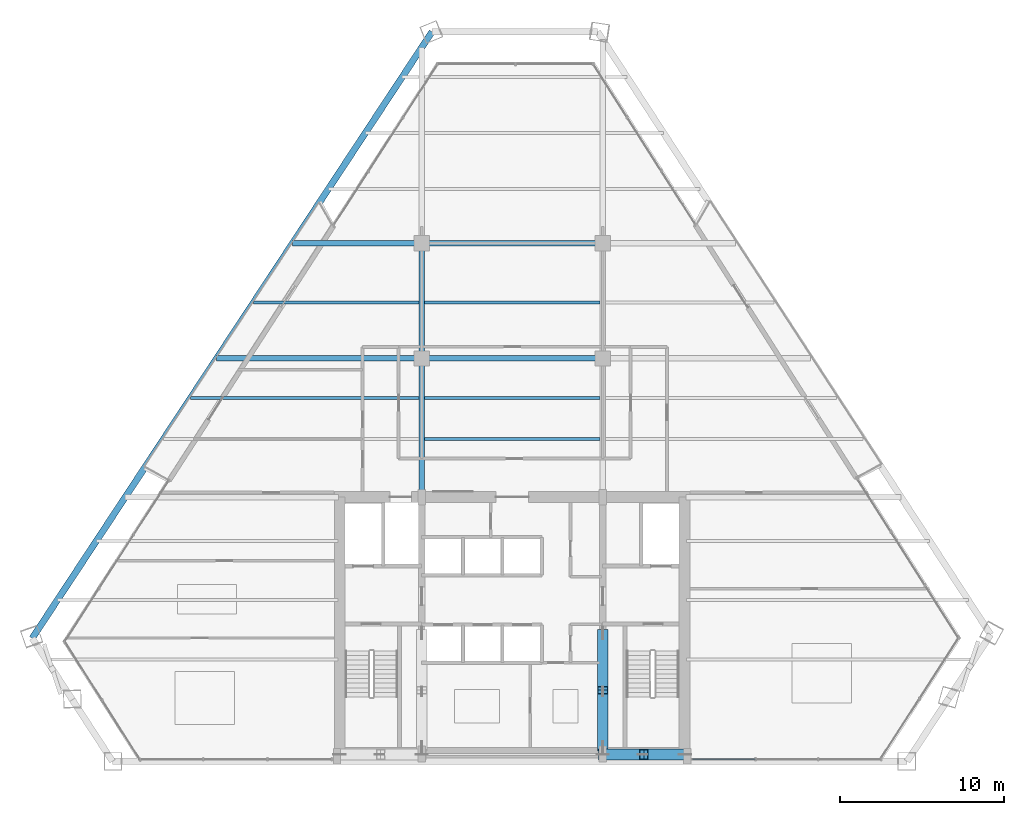
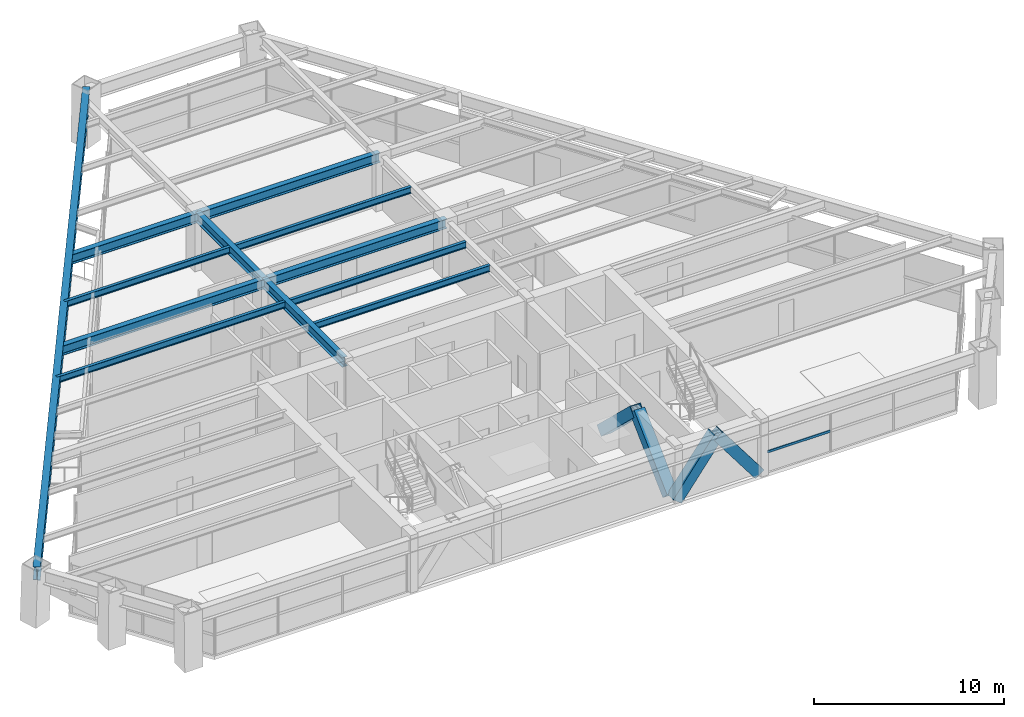
# One storey, part 5 of 15: 12 beams, 5 members, 1 element without a shape of its own.
"""IFC4 building model written with IfcOpenShell, lengths in metres."""

from ifc_helpers import new_model, si_unit, direction, frame, origin, origin_2d, place, context, subcontext, project, spatial, rectangle, hollow_rectangle, i_section, extrude, source, transform, mapped, material, material_profile, profile_set, type_object, type_shapes, element, aggregate, save


model = new_model("IFC4")

# Units and contexts
model_context = context("Model", 3, precision=1e-05, world=origin(), true_north=direction((0.0, 1.0)))
body_context = subcontext(model_context, "Body", "Model", "MODEL_VIEW")
ifc_project = project(units=[si_unit("LENGTHUNIT", "METRE"), si_unit("AREAUNIT", "SQUARE_METRE"), si_unit("VOLUMEUNIT", "CUBIC_METRE"), si_unit("PLANEANGLEUNIT", "RADIAN"), si_unit("MASSUNIT", "GRAM", prefix="KILO")], contexts=[model_context])

# Site, building, storey
site_placement = place(None, origin())
site = spatial("IfcSite", under=ifc_project, at=site_placement, CompositionType="ELEMENT")
building_placement = place(site_placement, origin())
building = spatial("IfcBuilding", under=site, at=building_placement, Name="Varnakhor Terracotta Tower", CompositionType="ELEMENT")
storey_placement = place(building_placement, frame((0.0, 0.0, 147.800048828125)))
storey = spatial("IfcBuildingStorey", under=building, at=storey_placement, Name="L37", CompositionType="ELEMENT", Elevation=147.800048828125)

# Beams
ifc_material_1 = material(Name="Steel S355", Category="steel")
ifc_material_profile_1 = material_profile(ifc_material_1, i_section(OverallWidth=0.324951171875, OverallDepth=0.615966796875, WebThickness=0.013916015625, FlangeThickness=0.02197265625, FilletRadius=0.01806640625, at=origin_2d()), Name="W24X117")
ifc_profile_set_1 = profile_set([ifc_material_profile_1], Name="Steel S355")
beam_type_1 = type_object("IfcBeamType", Name="BM-W24X117", PredefinedType="BEAM", material=ifc_profile_set_1)
shared_shape_1 = source(origin(), body_context, "Body", "SweptSolid", [
    extrude(i_section(OverallWidth=0.324951171875, OverallDepth=0.615966796875, WebThickness=0.013916015625, FlangeThickness=0.02197265625, FilletRadius=0.01806640625, at=origin_2d()), origin(), (0.0, 0.0, 1.0), 8.449951171875),
])
type_shapes(beam_type_1, [shared_shape_1])
beam_1_placement = place(storey_placement, frame((-5.5, 16.050048828125, 3.161865234375), z_axis=(0.0, 1.0, 0.0), x_axis=(-1.0, 0.0, 0.0)))
element("IfcBeam", 1, at=beam_1_placement, inside=storey, type_object=beam_type_1, Name="L37 Primary Girder NS1-W", PredefinedType="BEAM", context=body_context, shape_type="MappedRepresentation", body=[
    mapped(shared_shape_1, transform((0.0, 0.0, 0.0), scale=1.0)),
])
shared_shape_2 = source(origin(), body_context, "Body", "SweptSolid", [
    extrude(i_section(OverallWidth=0.324951171875, OverallDepth=0.615966796875, WebThickness=0.013916015625, FlangeThickness=0.02197265625, FilletRadius=0.01806640625, at=origin_2d()), origin(), (0.0, 0.0, 1.0), 7.0),
])
beam_2_placement = place(storey_placement, frame((-5.5, 24.5, 3.161865234375), z_axis=(0.0, 1.0, 0.0), x_axis=(-1.0, 0.0, 0.0)))
element("IfcBeam", 2, at=beam_2_placement, inside=storey, type_object=beam_type_1, Name="L37 Primary Girder NS2-W", PredefinedType="BEAM", context=body_context, shape_type="MappedRepresentation", body=[
    mapped(shared_shape_2, transform((0.0, 0.0, 0.0), scale=1.0)),
])
shared_shape_3 = source(origin(), body_context, "Body", "SweptSolid", [
    extrude(i_section(OverallWidth=0.324951171875, OverallDepth=0.615966796875, WebThickness=0.013916015625, FlangeThickness=0.02197265625, FilletRadius=0.01806640625, at=origin_2d()), origin(), (0.0, 0.0, 1.0), 11.0),
])
for number, where, z_axis, x_axis, name in (
    (3, (-5.5, 24.5, 3.161865234375), (1.0, 0.0, 0.0), (0.0, 1.0, 0.0), "L37 Primary Girder EW2-2"),
    (4, (-5.5, 31.5, 3.161865234375), (1.0, 0.0, 0.0), (0.0, 1.0, 0.0), "L37 Primary Girder EW3-2"),
):
    element("IfcBeam", number, at=place(storey_placement, frame(where, z_axis=z_axis, x_axis=x_axis)), inside=storey, type_object=beam_type_1, Name=name, PredefinedType="BEAM", context=body_context, shape_type="MappedRepresentation", body=[
        mapped(shared_shape_3, transform((0.0, 0.0, 0.0), scale=1.0)),
    ])
ifc_material_profile_2 = material_profile(ifc_material_1, i_section(OverallWidth=0.179931640625, OverallDepth=0.4130859375, WebThickness=0.009765625, FlangeThickness=0.01611328125, FilletRadius=0.01806640625, at=origin_2d()), Name="W16X50")
ifc_profile_set_2 = profile_set([ifc_material_profile_2], Name="Steel S355")
beam_type_2 = type_object("IfcBeamType", Name="JST-W16X50", PredefinedType="JOIST", material=ifc_profile_set_2)
shared_shape_4 = source(origin(), body_context, "Body", "SweptSolid", [
    extrude(i_section(OverallWidth=0.179931640625, OverallDepth=0.4130859375, WebThickness=0.009765625, FlangeThickness=0.01611328125, FilletRadius=0.01806640625, at=origin_2d()), origin(), (0.0, 0.0, 1.0), 10.68310546875),
])
for number, where, z_axis, x_axis, name in (
    (5, (-5.341552734375, 19.60009765625, 3.263427734375), (1.0, 0.0, 0.0), (0.0, 1.0, 0.0), "L37 Composite Floor Joist 4-2"),
    (6, (-5.341552734375, 22.10009765625, 3.263427734375), (1.0, 0.0, 0.0), (0.0, 1.0, 0.0), "L37 Composite Floor Joist 5-2"),
    (7, (-5.341552734375, 27.89990234375, 3.263427734375), (1.0, 0.0, 0.0), (0.0, 1.0, 0.0), "L37 Composite Floor Joist 6-2"),
):
    element("IfcBeam", number, at=place(storey_placement, frame(where, z_axis=z_axis, x_axis=x_axis)), inside=storey, type_object=beam_type_2, Name=name, PredefinedType="JOIST", context=body_context, shape_type="MappedRepresentation", body=[
        mapped(shared_shape_4, transform((0.0, 0.0, 0.0), scale=1.0)),
    ])

# Members
ifc_material_2 = material(Name="Steel S460", Category="steel")
ifc_material_profile_3 = material_profile(ifc_material_2, hollow_rectangle(XDim=0.64990234375, YDim=0.64990234375, WallThickness=0.0400390625, at=origin_2d()), Name="HSS650X650X40")
ifc_profile_set_3 = profile_set([ifc_material_profile_3], Name="Steel S460")
member_type_1 = type_object("IfcMemberType", Name="MBR-MEGA-650", PredefinedType="BRACE", material=ifc_profile_set_3)
shared_shape_5 = source(origin(), body_context, "Body", "SweptSolid", [
    extrude(hollow_rectangle(XDim=0.64990234375, YDim=0.64990234375, WallThickness=0.0400390625, at=origin_2d()), origin(), (0.0, 0.0, 1.0), 4.805908203125),
])
member_1_placement = place(storey_placement, frame((5.5, 0.85009765625, 0.0), z_axis=(0.0, 0.723026776832, 0.69082000549), x_axis=(-1.0, 0.0, 0.0)))
element("IfcMember", 8, at=member_1_placement, inside=storey, type_object=member_type_1, Name="L37 Core Coupled Brace CWEA", PredefinedType="BRACE", context=body_context, shape_type="MappedRepresentation", body=[
    mapped(shared_shape_5, transform((0.0, 0.0, 0.0), scale=1.0)),
])
shared_shape_6 = source(origin(), body_context, "Body", "SweptSolid", [
    extrude(hollow_rectangle(XDim=0.64990234375, YDim=0.64990234375, WallThickness=0.0400390625, at=origin_2d()), origin(), (0.0, 0.0, 1.0), 4.156005859375),
])
for number, where, z_axis, x_axis, name in (
    (9, (5.5, 0.419921875, 0.0), (0.601530923869, 0.0, 0.798849515009), (0.0, 1.0, 0.0), "L37 Core Coupled Brace CSEA"),
    (10, (10.5, 0.419921875, 0.0), (-0.601530923869, 0.0, 0.798849515009), (0.0, -1.0, 0.0), "L37 Core Coupled Brace CSEB"),
):
    element("IfcMember", number, at=place(storey_placement, frame(where, z_axis=z_axis, x_axis=x_axis)), inside=storey, type_object=member_type_1, Name=name, PredefinedType="BRACE", context=body_context, shape_type="MappedRepresentation", body=[
        mapped(shared_shape_6, transform((0.0, 0.0, 0.0), scale=1.0)),
    ])
shared_shape_7 = source(origin(), body_context, "Body", "SweptSolid", [
    extrude(hollow_rectangle(XDim=0.64990234375, YDim=0.64990234375, WallThickness=0.0400390625, at=origin_2d()), origin(), (0.0, 0.0, 1.0), 4.80615234375),
])
member_2_placement = place(storey_placement, frame((5.5, 7.800048828125, 0.0), z_axis=(0.0, -0.723051018573, 0.690794632681), x_axis=(1.0, 0.0, 0.0)))
element("IfcMember", 11, at=member_2_placement, inside=storey, type_object=member_type_1, Name="L37 Core Coupled Brace CWEB", PredefinedType="BRACE", context=body_context, shape_type="MappedRepresentation", body=[
    mapped(shared_shape_7, transform((0.0, 0.0, 0.0), scale=1.0)),
])

# Beams
ifc_material_profile_4 = material_profile(ifc_material_1, i_section(OverallWidth=0.39990234375, OverallDepth=0.85498046875, WebThickness=0.01806640625, FlangeThickness=0.029052734375, FilletRadius=0.01806640625, at=origin_2d()), Name="W33X201")
ifc_profile_set_4 = profile_set([ifc_material_profile_4], Name="Steel S355")
beam_type_3 = type_object("IfcBeamType", Name="BM-W33X201", PredefinedType="BEAM", material=ifc_profile_set_4)
shared_shape_8 = source(origin(), body_context, "Body", "SweptSolid", [
    extrude(i_section(OverallWidth=0.39990234375, OverallDepth=0.85498046875, WebThickness=0.01806640625, FlangeThickness=0.029052734375, FilletRadius=0.01806640625, at=origin_2d()), origin(), (0.0, 0.0, 1.0), 44.156982421875),
])
beam_3_placement = place(storey_placement, frame((-4.873779296875, 44.351318359375, 3.04248046875), z_axis=(-0.55043652529, -0.834877015869, 0.0), x_axis=(0.834877015869, -0.55043652529, 0.0)))
element("IfcBeam", 12, at=beam_3_placement, inside=storey, type_object=beam_type_3, Name="L37 Perimeter Spandrel 6", PredefinedType="BEAM", context=body_context, shape_type="MappedRepresentation", body=[
    mapped(shared_shape_8, transform((0.0, 0.0, 0.0), scale=1.0)),
])
shared_shape_9 = source(origin(), body_context, "Body", "SweptSolid", [
    extrude(i_section(OverallWidth=0.324951171875, OverallDepth=0.615966796875, WebThickness=0.013916015625, FlangeThickness=0.02197265625, FilletRadius=0.01806640625, at=origin_2d()), origin(), (0.0, 0.0, 1.0), 12.4619140625),
])
beam_4_placement = place(storey_placement, frame((-17.9619140625, 24.5, 3.161865234375), z_axis=(1.0, 0.0, 0.0), x_axis=(0.0, 1.0, 0.0)))
element("IfcBeam", 13, at=beam_4_placement, inside=storey, type_object=beam_type_1, Name="L37 Primary Girder EW2-1", PredefinedType="BEAM", context=body_context, shape_type="MappedRepresentation", body=[
    mapped(shared_shape_9, transform((0.0, 0.0, 0.0), scale=1.0)),
])
shared_shape_10 = source(origin(), body_context, "Body", "SweptSolid", [
    extrude(i_section(OverallWidth=0.324951171875, OverallDepth=0.615966796875, WebThickness=0.013916015625, FlangeThickness=0.02197265625, FilletRadius=0.01806640625, at=origin_2d()), origin(), (0.0, 0.0, 1.0), 7.8466796875),
])
beam_5_placement = place(storey_placement, frame((-13.3466796875, 31.5, 3.161865234375), z_axis=(1.0, 0.0, 0.0), x_axis=(0.0, 1.0, 0.0)))
element("IfcBeam", 14, at=beam_5_placement, inside=storey, type_object=beam_type_1, Name="L37 Primary Girder EW3-1", PredefinedType="BEAM", context=body_context, shape_type="MappedRepresentation", body=[
    mapped(shared_shape_10, transform((0.0, 0.0, 0.0), scale=1.0)),
])
shared_shape_11 = source(origin(), body_context, "Body", "SweptSolid", [
    extrude(i_section(OverallWidth=0.179931640625, OverallDepth=0.4130859375, WebThickness=0.009765625, FlangeThickness=0.01611328125, FilletRadius=0.01806640625, at=origin_2d()), origin(), (0.0, 0.0, 1.0), 13.8857421875),
])
beam_6_placement = place(storey_placement, frame((-19.544189453125, 22.10009765625, 3.263427734375), z_axis=(1.0, 0.0, 0.0), x_axis=(0.0, 1.0, 0.0)))
element("IfcBeam", 15, at=beam_6_placement, inside=storey, type_object=beam_type_2, Name="L37 Composite Floor Joist 5-1", PredefinedType="JOIST", context=body_context, shape_type="MappedRepresentation", body=[
    mapped(shared_shape_11, transform((0.0, 0.0, 0.0), scale=1.0)),
])
shared_shape_12 = source(origin(), body_context, "Body", "SweptSolid", [
    extrude(i_section(OverallWidth=0.179931640625, OverallDepth=0.4130859375, WebThickness=0.009765625, FlangeThickness=0.01611328125, FilletRadius=0.01806640625, at=origin_2d()), origin(), (0.0, 0.0, 1.0), 10.061767578125),
])
beam_7_placement = place(storey_placement, frame((-15.72021484375, 27.89990234375, 3.263427734375), z_axis=(1.0, 0.0, 0.0), x_axis=(0.0, 1.0, 0.0)))
element("IfcBeam", 16, at=beam_7_placement, inside=storey, type_object=beam_type_2, Name="L37 Composite Floor Joist 6-1", PredefinedType="JOIST", context=body_context, shape_type="MappedRepresentation", body=[
    mapped(shared_shape_12, transform((0.0, 0.0, 0.0), scale=1.0)),
])

# Curtain wall, member
ifc_material_3 = material(Name="Anodised Aluminium Curtain Wall System", Category="aluminium")
curtain_wall_type = type_object("IfcCurtainWallType", Name="CW-SYS-MID-OFFICE", PredefinedType="NOTDEFINED", material=ifc_material_3)
curtain_wall_placement = place(storey_placement, origin())
curtain_wall = element("IfcCurtainWall", 17, at=curtain_wall_placement, inside=storey, type_object=curtain_wall_type, Name="L37 South Wing Curtain Wall SSE", PredefinedType="NOTDEFINED")
ifc_material_4 = material(Name="Anodised Aluminium 6063-T6", Category="aluminium")
ifc_material_profile_5 = material_profile(ifc_material_4, rectangle(XDim=0.070068359375, YDim=0.155029296875, at=origin_2d()), Name="ALU TRANSOM 70x155")
ifc_profile_set_5 = profile_set([ifc_material_profile_5], Name="Anodised Aluminium 6063-T6")
member_type_2 = type_object("IfcMemberType", Name="CWT-03", PredefinedType="USERDEFINED", material=ifc_profile_set_5)
shared_shape_13 = source(origin(), body_context, "Body", "SweptSolid", [
    extrude(rectangle(XDim=0.070068359375, YDim=0.155029296875, at=origin_2d()), origin(), (0.0, 0.0, 1.0), 3.81884765625),
])
member_3_placement = place(storey_placement, frame((14.788818359375, 0.1201171875, 1.281005859375), z_axis=(-1.0, 0.0, 0.0), x_axis=(0.0, -1.0, 0.0)))
member_3 = element("IfcMember", 18, at=member_3_placement, type_object=member_type_2, Name="L37 South Wing Curtain Wall SSE Transom 3", ObjectType="TRANSOM", PredefinedType="USERDEFINED", context=body_context, shape_type="MappedRepresentation", body=[
    mapped(shared_shape_13, transform((0.0, 0.0, 0.0), scale=1.0)),
])
aggregate(curtain_wall, [member_3])

save(model, "model.ifc")
